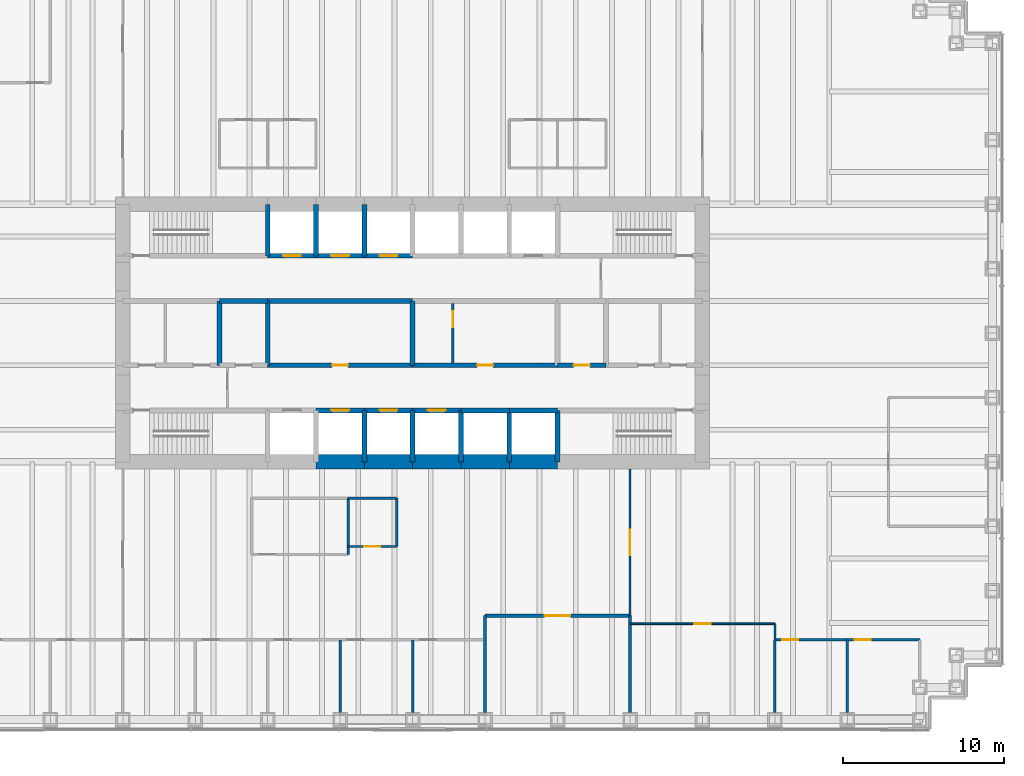
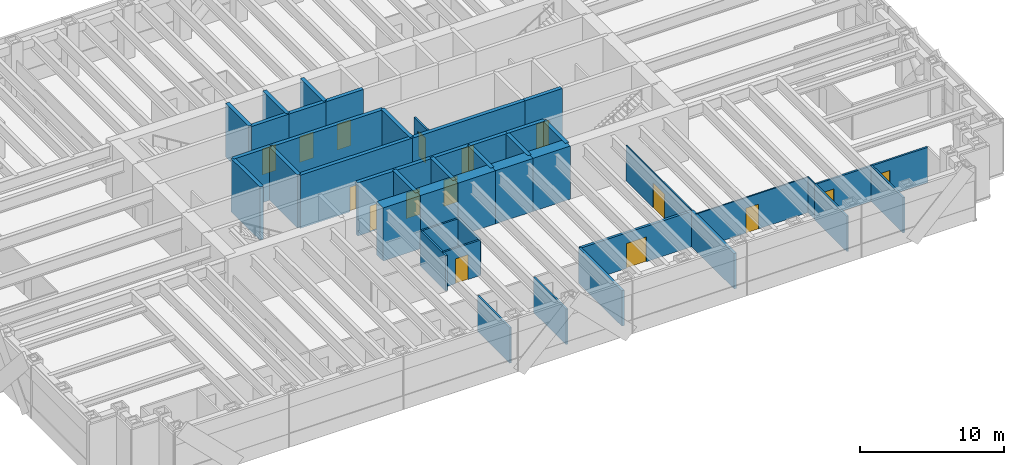
# One storey, part 10 of 13: 45 walls, 16 doors, 16 openings.
"""IFC4 building model written with IfcOpenShell, lengths in metres."""

from ifc_helpers import new_model, si_unit, direction, frame, frame_2d, origin, place, context, subcontext, project, spatial, rectangle, extrude, material, layer, layer_set, type_object, element, fill, save


model = new_model("IFC4")

# Units and contexts
model_context = context("Model", 3, precision=1e-05, world=origin(), true_north=direction((0.0, 1.0)))
body_context = subcontext(model_context, "Body", "Model", "MODEL_VIEW")
ifc_project = project(units=[si_unit("LENGTHUNIT", "METRE"), si_unit("AREAUNIT", "SQUARE_METRE"), si_unit("VOLUMEUNIT", "CUBIC_METRE"), si_unit("PLANEANGLEUNIT", "RADIAN"), si_unit("MASSUNIT", "GRAM", prefix="KILO")], contexts=[model_context])

# Site, building, storey
site_placement = place(None, origin())
site = spatial("IfcSite", under=ifc_project, at=site_placement, CompositionType="ELEMENT")
building_placement = place(site_placement, origin())
building = spatial("IfcBuilding", under=site, at=building_placement, Name="Rheinbord Bourse Tower", CompositionType="ELEMENT")
storey_placement = place(building_placement, frame((0.0, 0.0, 90.5)))
storey = spatial("IfcBuildingStorey", under=building, at=storey_placement, Name="L19", CompositionType="ELEMENT", Elevation=90.5)

# Wall, opening, door
ifc_material_1 = material(Name="Acoustic gypsum board partition", Category="gypsum board")
ifc_layer_1 = layer(ifc_material_1, 0.199951171875)
ifc_layer_set_1 = layer_set([ifc_layer_1], Name="ACOUSTIC PARTITION 200")
wall_type_1 = type_object("IfcWallType", Name="ACOUSTIC PARTITION 200", PredefinedType="PARTITIONING", material=ifc_layer_set_1)
wall_1_placement = place(storey_placement, frame((40.5, 6.449951171875, 0.0), z_axis=(0.0, 0.0, 1.0), x_axis=(1.0, 0.0, 0.0)))
wall_1 = element("IfcWall", 1, at=wall_1_placement, inside=storey, type_object=wall_type_1, Name="Partition L19-04", PredefinedType="PARTITIONING", context=body_context, shape_type="SweptSolid", body=[
    extrude(rectangle(XDim=9.0, YDim=0.199951171875, at=frame_2d((4.5, 0.0))), origin(), (0.0, 0.0, 1.0), 3.0),
])
opening_1_placement = place(wall_1_placement, frame((3.699951171875, 0.0, 0.0)))
opening_1 = element("IfcOpeningElement", 2, at=opening_1_placement, cuts=wall_1, Name="Opening 19D12", PredefinedType="OPENING", context=body_context, shape_type="SweptSolid", body=[
    extrude(rectangle(XDim=1.60009765625, YDim=2.10009765625, at=frame_2d((0.800048828125, 1.050048828125))), frame((0.0, 0.10986328125, 0.0), z_axis=(0.0, -1.0, 0.0), x_axis=(1.0, 0.0, 0.0)), (0.0, 0.0, 1.0), 0.219970703125),
])
ifc_material_2 = material(Name="Timber door", Category="wood")
door_type_1 = type_object("IfcDoorType", Name="DOUBLE ROOM DOOR 1600", OperationType="DOUBLE_DOOR_DOUBLE_SWING", PredefinedType="DOOR", material=ifc_material_2)
door_1_placement = place(opening_1_placement, origin())
door_1 = element("IfcDoor", 3, at=door_1_placement, inside=storey, type_object=door_type_1, Name="Broadcast studio door L19", OperationType="SINGLE_SWING_LEFT", OverallHeight=2.10009765625, OverallWidth=1.60009765625, PredefinedType="DOOR", context=body_context, shape_type="SweptSolid", body=[
    extrude(rectangle(XDim=1.60009765625, YDim=2.10009765625, at=frame_2d((0.800048828125, 1.050048828125))), frame((0.0, 0.02490234375, 0.0), z_axis=(0.0, -1.0, 0.0), x_axis=(1.0, 0.0, 0.0)), (0.0, 0.0, 1.0), 0.050048828125),
])
fill(opening_1, door_1)

# Walls
for number, where, z_axis, x_axis, name in (
    (4, (40.5, 0.449951171875, 0.0), (0.0, 0.0, 1.0), (0.0, 1.0, 0.0), "Partition L19-37"),
    (5, (49.5, 0.449951171875, 0.0), (0.0, 0.0, 1.0), (0.0, 1.0, 0.0), "Partition L19-41"),
):
    element("IfcWall", number, at=place(storey_placement, frame(where, z_axis=z_axis, x_axis=x_axis)), inside=storey, type_object=wall_type_1, Name=name, PredefinedType="PARTITIONING", context=body_context, shape_type="SweptSolid", body=[
        extrude(rectangle(XDim=6.0, YDim=0.199951171875, at=frame_2d((3.0, 0.0))), origin(), (0.0, 0.0, 1.0), 3.0),
    ])

# Wall, opening, door
ifc_material_3 = material(Name="Concrete C50/60", Category="concrete")
ifc_layer_2 = layer(ifc_material_3, 0.300048828125)
ifc_layer_set_2 = layer_set([ifc_layer_2], Name="CORE INNER WALL 300")
wall_type_2 = type_object("IfcWallType", Name="CORE INNER WALL 300", PredefinedType="SOLIDWALL", material=ifc_layer_set_2)
wall_2_placement = place(storey_placement, frame((30.0, 19.199951171875, 0.0), z_axis=(0.0, 0.0, 1.0), x_axis=(1.0, 0.0, 0.0)))
wall_2 = element("IfcWall", 6, at=wall_2_placement, inside=storey, type_object=wall_type_2, Name="Core wall A3 L19", PredefinedType="SOLIDWALL", context=body_context, shape_type="SweptSolid", body=[
    extrude(rectangle(XDim=3.0, YDim=0.300048828125, at=frame_2d((1.5, 0.0))), origin(), (0.0, 0.0, 1.0), 4.5),
])
opening_2_placement = place(wall_2_placement, frame((0.949951171875, 0.0, 0.0)))
opening_2 = element("IfcOpeningElement", 7, at=opening_2_placement, cuts=wall_2, Name="Opening PA1", PredefinedType="OPENING", context=body_context, shape_type="SweptSolid", body=[
    extrude(rectangle(XDim=1.10009765625, YDim=2.199951171875, at=frame_2d((0.550048828125, 1.10009765625))), frame((0.0, 0.159912109375, 0.0), z_axis=(0.0, -1.0, 0.0), x_axis=(1.0, 0.0, 0.0)), (0.0, 0.0, 1.0), 0.320068359375),
])
ifc_material_4 = material(Name="Steel landing door", Category="steel")
door_type_2 = type_object("IfcDoorType", Name="LIFT LANDING DOOR 1100", OperationType="DOUBLE_DOOR_SLIDING", PredefinedType="USERDEFINED", material=ifc_material_4)
door_2_placement = place(opening_2_placement, origin())
door_2 = element("IfcDoor", 8, at=door_2_placement, inside=storey, type_object=door_type_2, Name="Lift landing door PA1 L19", ObjectType="LIFT LANDING DOOR", OperationType="DOUBLE_DOOR_SLIDING", OverallHeight=2.199951171875, OverallWidth=1.10009765625, PredefinedType="USERDEFINED", context=body_context, shape_type="SweptSolid", body=[
    extrude(rectangle(XDim=1.10009765625, YDim=2.199951171875, at=frame_2d((0.550048828125, 1.10009765625))), frame((0.0, 0.02490234375, 0.0), z_axis=(0.0, -1.0, 0.0), x_axis=(1.0, 0.0, 0.0)), (0.0, 0.0, 1.0), 0.050048828125),
])
fill(opening_2, door_2)

wall_3_placement = place(storey_placement, frame((33.0, 19.199951171875, 0.0), z_axis=(0.0, 0.0, 1.0), x_axis=(1.0, 0.0, 0.0)))
wall_3 = element("IfcWall", 9, at=wall_3_placement, inside=storey, type_object=wall_type_2, Name="Core wall A4 L19", PredefinedType="SOLIDWALL", context=body_context, shape_type="SweptSolid", body=[
    extrude(rectangle(XDim=3.0, YDim=0.300048828125, at=frame_2d((1.5, 0.0))), origin(), (0.0, 0.0, 1.0), 4.5),
])
opening_3_placement = place(wall_3_placement, frame((0.949951171875, 0.0, 0.0)))
opening_3 = element("IfcOpeningElement", 10, at=opening_3_placement, cuts=wall_3, Name="Opening PA2", PredefinedType="OPENING", context=body_context, shape_type="SweptSolid", body=[
    extrude(rectangle(XDim=1.10009765625, YDim=2.199951171875, at=frame_2d((0.550048828125, 1.10009765625))), frame((0.0, 0.159912109375, 0.0), z_axis=(0.0, -1.0, 0.0), x_axis=(1.0, 0.0, 0.0)), (0.0, 0.0, 1.0), 0.320068359375),
])
door_3_placement = place(opening_3_placement, origin())
door_3 = element("IfcDoor", 11, at=door_3_placement, inside=storey, type_object=door_type_2, Name="Lift landing door PA2 L19", ObjectType="LIFT LANDING DOOR", OperationType="DOUBLE_DOOR_SLIDING", OverallHeight=2.199951171875, OverallWidth=1.10009765625, PredefinedType="USERDEFINED", context=body_context, shape_type="SweptSolid", body=[
    extrude(rectangle(XDim=1.10009765625, YDim=2.199951171875, at=frame_2d((0.550048828125, 1.10009765625))), frame((0.0, 0.02490234375, 0.0), z_axis=(0.0, -1.0, 0.0), x_axis=(1.0, 0.0, 0.0)), (0.0, 0.0, 1.0), 0.050048828125),
])
fill(opening_3, door_3)

wall_4_placement = place(storey_placement, frame((36.0, 19.199951171875, 0.0), z_axis=(0.0, 0.0, 1.0), x_axis=(1.0, 0.0, 0.0)))
wall_4 = element("IfcWall", 12, at=wall_4_placement, inside=storey, type_object=wall_type_2, Name="Core wall A5 L19", PredefinedType="SOLIDWALL", context=body_context, shape_type="SweptSolid", body=[
    extrude(rectangle(XDim=3.0, YDim=0.300048828125, at=frame_2d((1.5, 0.0))), origin(), (0.0, 0.0, 1.0), 4.5),
])
opening_4_placement = place(wall_4_placement, frame((0.949951171875, 0.0, 0.0)))
opening_4 = element("IfcOpeningElement", 13, at=opening_4_placement, cuts=wall_4, Name="Opening PA3", PredefinedType="OPENING", context=body_context, shape_type="SweptSolid", body=[
    extrude(rectangle(XDim=1.10009765625, YDim=2.199951171875, at=frame_2d((0.550048828125, 1.10009765625))), frame((0.0, 0.159912109375, 0.0), z_axis=(0.0, -1.0, 0.0), x_axis=(1.0, 0.0, 0.0)), (0.0, 0.0, 1.0), 0.320068359375),
])
door_4_placement = place(opening_4_placement, origin())
door_4 = element("IfcDoor", 14, at=door_4_placement, inside=storey, type_object=door_type_2, Name="Lift landing door PA3 L19", ObjectType="LIFT LANDING DOOR", OperationType="DOUBLE_DOOR_SLIDING", OverallHeight=2.199951171875, OverallWidth=1.10009765625, PredefinedType="USERDEFINED", context=body_context, shape_type="SweptSolid", body=[
    extrude(rectangle(XDim=1.10009765625, YDim=2.199951171875, at=frame_2d((0.550048828125, 1.10009765625))), frame((0.0, 0.02490234375, 0.0), z_axis=(0.0, -1.0, 0.0), x_axis=(1.0, 0.0, 0.0)), (0.0, 0.0, 1.0), 0.050048828125),
])
fill(opening_4, door_4)

# Walls
for number, where, z_axis, x_axis, name in (
    (15, (39.0, 19.199951171875, 0.0), (0.0, 0.0, 1.0), (1.0, 0.0, 0.0), "Core wall A6 L19"),
    (16, (42.0, 19.199951171875, 0.0), (0.0, 0.0, 1.0), (1.0, 0.0, 0.0), "Core wall A7 L19"),
):
    element("IfcWall", number, at=place(storey_placement, frame(where, z_axis=z_axis, x_axis=x_axis)), inside=storey, type_object=wall_type_2, Name=name, PredefinedType="SOLIDWALL", context=body_context, shape_type="SweptSolid", body=[
        extrude(rectangle(XDim=3.0, YDim=0.300048828125, at=frame_2d((1.5, 0.0))), origin(), (0.0, 0.0, 1.0), 4.5),
    ])

# Wall, opening, door
wall_5_placement = place(storey_placement, frame((27.0, 28.800048828125, 0.0), z_axis=(0.0, 0.0, 1.0), x_axis=(1.0, 0.0, 0.0)))
wall_5 = element("IfcWall", 17, at=wall_5_placement, inside=storey, type_object=wall_type_2, Name="Core wall B2 L19", PredefinedType="SOLIDWALL", context=body_context, shape_type="SweptSolid", body=[
    extrude(rectangle(XDim=3.0, YDim=0.300048828125, at=frame_2d((1.5, 0.0))), origin(), (0.0, 0.0, 1.0), 4.5),
])
opening_5_placement = place(wall_5_placement, frame((0.949951171875, 0.0, 0.0)))
opening_5 = element("IfcOpeningElement", 18, at=opening_5_placement, cuts=wall_5, Name="Opening GL1", PredefinedType="OPENING", context=body_context, shape_type="SweptSolid", body=[
    extrude(rectangle(XDim=1.10009765625, YDim=2.199951171875, at=frame_2d((0.550048828125, 1.10009765625))), frame((0.0, 0.159912109375, 0.0), z_axis=(0.0, -1.0, 0.0), x_axis=(1.0, 0.0, 0.0)), (0.0, 0.0, 1.0), 0.320068359375),
])
door_5_placement = place(opening_5_placement, origin())
door_5 = element("IfcDoor", 19, at=door_5_placement, inside=storey, type_object=door_type_2, Name="Lift landing door GL1 L19", ObjectType="LIFT LANDING DOOR", OperationType="DOUBLE_DOOR_SLIDING", OverallHeight=2.199951171875, OverallWidth=1.10009765625, PredefinedType="USERDEFINED", context=body_context, shape_type="SweptSolid", body=[
    extrude(rectangle(XDim=1.10009765625, YDim=2.199951171875, at=frame_2d((0.550048828125, 1.10009765625))), frame((0.0, 0.02490234375, 0.0), z_axis=(0.0, -1.0, 0.0), x_axis=(1.0, 0.0, 0.0)), (0.0, 0.0, 1.0), 0.050048828125),
])
fill(opening_5, door_5)

wall_6_placement = place(storey_placement, frame((30.0, 28.800048828125, 0.0), z_axis=(0.0, 0.0, 1.0), x_axis=(1.0, 0.0, 0.0)))
wall_6 = element("IfcWall", 20, at=wall_6_placement, inside=storey, type_object=wall_type_2, Name="Core wall B3 L19", PredefinedType="SOLIDWALL", context=body_context, shape_type="SweptSolid", body=[
    extrude(rectangle(XDim=3.0, YDim=0.300048828125, at=frame_2d((1.5, 0.0))), origin(), (0.0, 0.0, 1.0), 4.5),
])
opening_6_placement = place(wall_6_placement, frame((0.949951171875, 0.0, 0.0)))
opening_6 = element("IfcOpeningElement", 21, at=opening_6_placement, cuts=wall_6, Name="Opening PA4", PredefinedType="OPENING", context=body_context, shape_type="SweptSolid", body=[
    extrude(rectangle(XDim=1.10009765625, YDim=2.199951171875, at=frame_2d((0.550048828125, 1.10009765625))), frame((0.0, 0.159912109375, 0.0), z_axis=(0.0, -1.0, 0.0), x_axis=(1.0, 0.0, 0.0)), (0.0, 0.0, 1.0), 0.320068359375),
])
door_6_placement = place(opening_6_placement, origin())
door_6 = element("IfcDoor", 22, at=door_6_placement, inside=storey, type_object=door_type_2, Name="Lift landing door PA4 L19", ObjectType="LIFT LANDING DOOR", OperationType="DOUBLE_DOOR_SLIDING", OverallHeight=2.199951171875, OverallWidth=1.10009765625, PredefinedType="USERDEFINED", context=body_context, shape_type="SweptSolid", body=[
    extrude(rectangle(XDim=1.10009765625, YDim=2.199951171875, at=frame_2d((0.550048828125, 1.10009765625))), frame((0.0, 0.02490234375, 0.0), z_axis=(0.0, -1.0, 0.0), x_axis=(1.0, 0.0, 0.0)), (0.0, 0.0, 1.0), 0.050048828125),
])
fill(opening_6, door_6)

wall_7_placement = place(storey_placement, frame((33.0, 28.800048828125, 0.0), z_axis=(0.0, 0.0, 1.0), x_axis=(1.0, 0.0, 0.0)))
wall_7 = element("IfcWall", 23, at=wall_7_placement, inside=storey, type_object=wall_type_2, Name="Core wall B4 L19", PredefinedType="SOLIDWALL", context=body_context, shape_type="SweptSolid", body=[
    extrude(rectangle(XDim=3.0, YDim=0.300048828125, at=frame_2d((1.5, 0.0))), origin(), (0.0, 0.0, 1.0), 4.5),
])
opening_7_placement = place(wall_7_placement, frame((0.949951171875, 0.0, 0.0)))
opening_7 = element("IfcOpeningElement", 24, at=opening_7_placement, cuts=wall_7, Name="Opening PA5", PredefinedType="OPENING", context=body_context, shape_type="SweptSolid", body=[
    extrude(rectangle(XDim=1.10009765625, YDim=2.199951171875, at=frame_2d((0.550048828125, 1.10009765625))), frame((0.0, 0.159912109375, 0.0), z_axis=(0.0, -1.0, 0.0), x_axis=(1.0, 0.0, 0.0)), (0.0, 0.0, 1.0), 0.320068359375),
])
door_7_placement = place(opening_7_placement, origin())
door_7 = element("IfcDoor", 25, at=door_7_placement, inside=storey, type_object=door_type_2, Name="Lift landing door PA5 L19", ObjectType="LIFT LANDING DOOR", OperationType="DOUBLE_DOOR_SLIDING", OverallHeight=2.199951171875, OverallWidth=1.10009765625, PredefinedType="USERDEFINED", context=body_context, shape_type="SweptSolid", body=[
    extrude(rectangle(XDim=1.10009765625, YDim=2.199951171875, at=frame_2d((0.550048828125, 1.10009765625))), frame((0.0, 0.02490234375, 0.0), z_axis=(0.0, -1.0, 0.0), x_axis=(1.0, 0.0, 0.0)), (0.0, 0.0, 1.0), 0.050048828125),
])
fill(opening_7, door_7)

wall_8_placement = place(storey_placement, frame((27.0, 22.0, 0.0), z_axis=(0.0, 0.0, 1.0), x_axis=(1.0, 0.0, 0.0)))
wall_8 = element("IfcWall", 26, at=wall_8_placement, inside=storey, type_object=wall_type_2, Name="Core wall C3 L19", PredefinedType="SOLIDWALL", context=body_context, shape_type="SweptSolid", body=[
    extrude(rectangle(XDim=9.0, YDim=0.300048828125, at=frame_2d((4.5, 0.0))), origin(), (0.0, 0.0, 1.0), 4.5),
])
opening_8_placement = place(wall_8_placement, frame((4.0, 0.0, 0.0)))
opening_8 = element("IfcOpeningElement", 27, at=opening_8_placement, cuts=wall_8, Name="Opening 19R3", PredefinedType="OPENING", context=body_context, shape_type="SweptSolid", body=[
    extrude(rectangle(XDim=1.0, YDim=2.10009765625, at=frame_2d((0.5, 1.050048828125))), frame((0.0, 0.159912109375, 0.0), z_axis=(0.0, -1.0, 0.0), x_axis=(1.0, 0.0, 0.0)), (0.0, 0.0, 1.0), 0.320068359375),
])
ifc_material_5 = material(Name="Steel door", Category="steel")
door_type_3 = type_object("IfcDoorType", Name="DOOR 1000 EI30", OperationType="SINGLE_SWING_LEFT", PredefinedType="DOOR", material=ifc_material_5)
door_8_placement = place(opening_8_placement, origin())
door_8 = element("IfcDoor", 28, at=door_8_placement, inside=storey, type_object=door_type_3, Name="Riser door L19", OperationType="SINGLE_SWING_LEFT", OverallHeight=2.10009765625, OverallWidth=1.0, PredefinedType="DOOR", context=body_context, shape_type="SweptSolid", body=[
    extrude(rectangle(XDim=1.0, YDim=2.10009765625, at=frame_2d((0.5, 1.050048828125))), frame((0.0, 0.02490234375, 0.0), z_axis=(0.0, -1.0, 0.0), x_axis=(1.0, 0.0, 0.0)), (0.0, 0.0, 1.0), 0.050048828125),
])
fill(opening_8, door_8)

wall_9_placement = place(storey_placement, frame((36.0, 22.0, 0.0), z_axis=(0.0, 0.0, 1.0), x_axis=(1.0, 0.0, 0.0)))
wall_9 = element("IfcWall", 29, at=wall_9_placement, inside=storey, type_object=wall_type_2, Name="Core wall C4 L19", PredefinedType="SOLIDWALL", context=body_context, shape_type="SweptSolid", body=[
    extrude(rectangle(XDim=9.0, YDim=0.300048828125, at=frame_2d((4.5, 0.0))), origin(), (0.0, 0.0, 1.0), 4.5),
])
opening_9_placement = place(wall_9_placement, frame((4.0, 0.0, 0.0)))
opening_9 = element("IfcOpeningElement", 30, at=opening_9_placement, cuts=wall_9, Name="Opening 19R4", PredefinedType="OPENING", context=body_context, shape_type="SweptSolid", body=[
    extrude(rectangle(XDim=1.0, YDim=2.10009765625, at=frame_2d((0.5, 1.050048828125))), frame((0.0, 0.159912109375, 0.0), z_axis=(0.0, -1.0, 0.0), x_axis=(1.0, 0.0, 0.0)), (0.0, 0.0, 1.0), 0.320068359375),
])
door_9_placement = place(opening_9_placement, origin())
door_9 = element("IfcDoor", 31, at=door_9_placement, inside=storey, type_object=door_type_3, Name="Store door L19", OperationType="SINGLE_SWING_LEFT", OverallHeight=2.10009765625, OverallWidth=1.0, PredefinedType="DOOR", context=body_context, shape_type="SweptSolid", body=[
    extrude(rectangle(XDim=1.0, YDim=2.10009765625, at=frame_2d((0.5, 1.050048828125))), frame((0.0, 0.02490234375, 0.0), z_axis=(0.0, -1.0, 0.0), x_axis=(1.0, 0.0, 0.0)), (0.0, 0.0, 1.0), 0.050048828125),
])
fill(opening_9, door_9)

wall_10_placement = place(storey_placement, frame((45.0, 22.0, 0.0), z_axis=(0.0, 0.0, 1.0), x_axis=(1.0, 0.0, 0.0)))
wall_10 = element("IfcWall", 32, at=wall_10_placement, inside=storey, type_object=wall_type_2, Name="Core wall C5 L19", PredefinedType="SOLIDWALL", context=body_context, shape_type="SweptSolid", body=[
    extrude(rectangle(XDim=3.0, YDim=0.300048828125, at=frame_2d((1.5, 0.0))), origin(), (0.0, 0.0, 1.0), 4.5),
])
opening_10_placement = place(wall_10_placement, frame((1.0, 0.0, 0.0)))
opening_10 = element("IfcOpeningElement", 33, at=opening_10_placement, cuts=wall_10, Name="Opening 19R5", PredefinedType="OPENING", context=body_context, shape_type="SweptSolid", body=[
    extrude(rectangle(XDim=1.0, YDim=2.10009765625, at=frame_2d((0.5, 1.050048828125))), frame((0.0, 0.159912109375, 0.0), z_axis=(0.0, -1.0, 0.0), x_axis=(1.0, 0.0, 0.0)), (0.0, 0.0, 1.0), 0.320068359375),
])
ifc_material_6 = material(Name="Timber door", Category="wood")
door_type_4 = type_object("IfcDoorType", Name="DOOR 1000 WC", OperationType="SINGLE_SWING_LEFT", PredefinedType="DOOR", material=ifc_material_6)
door_10_placement = place(opening_10_placement, origin())
door_10 = element("IfcDoor", 34, at=door_10_placement, inside=storey, type_object=door_type_4, Name="Accessible WC door L19", OperationType="SINGLE_SWING_LEFT", OverallHeight=2.10009765625, OverallWidth=1.0, PredefinedType="DOOR", context=body_context, shape_type="SweptSolid", body=[
    extrude(rectangle(XDim=1.0, YDim=2.10009765625, at=frame_2d((0.5, 1.050048828125))), frame((0.0, 0.02490234375, 0.0), z_axis=(0.0, -1.0, 0.0), x_axis=(1.0, 0.0, 0.0)), (0.0, 0.0, 1.0), 0.050048828125),
])
fill(opening_10, door_10)

# Walls
wall_11_placement = place(storey_placement, frame((24.0, 26.0, 0.0), z_axis=(0.0, 0.0, 1.0), x_axis=(1.0, 0.0, 0.0)))
element("IfcWall", 35, at=wall_11_placement, inside=storey, type_object=wall_type_2, Name="Core wall D2 L19", PredefinedType="SOLIDWALL", context=body_context, shape_type="SweptSolid", body=[
    extrude(rectangle(XDim=3.0, YDim=0.300048828125, at=frame_2d((1.5, 0.0))), origin(), (0.0, 0.0, 1.0), 4.5),
])
wall_12_placement = place(storey_placement, frame((27.0, 26.0, 0.0), z_axis=(0.0, 0.0, 1.0), x_axis=(1.0, 0.0, 0.0)))
element("IfcWall", 36, at=wall_12_placement, inside=storey, type_object=wall_type_2, Name="Core wall D3 L19", PredefinedType="SOLIDWALL", context=body_context, shape_type="SweptSolid", body=[
    extrude(rectangle(XDim=9.0, YDim=0.300048828125, at=frame_2d((4.5, 0.0))), origin(), (0.0, 0.0, 1.0), 4.5),
])
for number, where, z_axis, x_axis, name in (
    (37, (27.0, 28.800048828125, 0.0), (0.0, 0.0, 1.0), (0.0, 1.0, 0.0), "Core wall NX27 L19"),
    (38, (30.0, 28.800048828125, 0.0), (0.0, 0.0, 1.0), (0.0, 1.0, 0.0), "Core wall NX30 L19"),
    (39, (33.0, 16.0, 0.0), (0.0, 0.0, 1.0), (0.0, 1.0, 0.0), "Core wall SX33 L19"),
    (40, (33.0, 28.800048828125, 0.0), (0.0, 0.0, 1.0), (0.0, 1.0, 0.0), "Core wall NX33 L19"),
    (41, (36.0, 16.0, 0.0), (0.0, 0.0, 1.0), (0.0, 1.0, 0.0), "Core wall SX36 L19"),
    (42, (39.0, 16.0, 0.0), (0.0, 0.0, 1.0), (0.0, 1.0, 0.0), "Core wall SX39 L19"),
    (43, (42.0, 16.0, 0.0), (0.0, 0.0, 1.0), (0.0, 1.0, 0.0), "Core wall SX42 L19"),
    (44, (45.0, 16.0, 0.0), (0.0, 0.0, 1.0), (0.0, 1.0, 0.0), "Core wall SX45 L19"),
):
    element("IfcWall", number, at=place(storey_placement, frame(where, z_axis=z_axis, x_axis=x_axis)), inside=storey, type_object=wall_type_2, Name=name, PredefinedType="SOLIDWALL", context=body_context, shape_type="SweptSolid", body=[
        extrude(rectangle(XDim=3.199951171875, YDim=0.300048828125, at=frame_2d((1.60009765625, 0.0))), origin(), (0.0, 0.0, 1.0), 4.5),
    ])
for number, where, z_axis, x_axis, name in (
    (45, (24.0, 22.0, 0.0), (0.0, 0.0, 1.0), (0.0, 1.0, 0.0), "Core wall MX24 L19"),
    (46, (27.0, 22.0, 0.0), (0.0, 0.0, 1.0), (0.0, 1.0, 0.0), "Core wall MX27 L19"),
    (47, (36.0, 22.0, 0.0), (0.0, 0.0, 1.0), (0.0, 1.0, 0.0), "Core wall MX36 L19"),
):
    element("IfcWall", number, at=place(storey_placement, frame(where, z_axis=z_axis, x_axis=x_axis)), inside=storey, type_object=wall_type_2, Name=name, PredefinedType="SOLIDWALL", context=body_context, shape_type="SweptSolid", body=[
        extrude(rectangle(XDim=4.0, YDim=0.300048828125, at=frame_2d((2.0, 0.0))), origin(), (0.0, 0.0, 1.0), 4.5),
    ])

# Wall, opening, door
ifc_material_7 = material(Name="Gypsum board fire partition", Category="gypsum board")
ifc_layer_3 = layer(ifc_material_7, 0.14990234375)
ifc_layer_set_3 = layer_set([ifc_layer_3], Name="CORE PARTITION 150 EI30")
wall_type_3 = type_object("IfcWallType", Name="CORE PARTITION 150 EI30", PredefinedType="PARTITIONING", material=ifc_layer_set_3)
wall_13_placement = place(storey_placement, frame((38.5, 22.14990234375, 0.0), z_axis=(0.0, 0.0, 1.0), x_axis=(0.0, 1.0, 0.0)))
wall_13 = element("IfcWall", 48, at=wall_13_placement, inside=storey, type_object=wall_type_3, Name="Core partition L19-1", PredefinedType="PARTITIONING", context=body_context, shape_type="SweptSolid", body=[
    extrude(rectangle(XDim=3.7001953125, YDim=0.14990234375, at=frame_2d((1.85009765625, 0.0))), origin(), (0.0, 0.0, 1.0), 3.0),
])
opening_11_placement = place(wall_13_placement, frame((2.199951171875, 0.0, 0.0)))
opening_11 = element("IfcOpeningElement", 49, at=opening_11_placement, cuts=wall_13, Name="Opening 19R7", PredefinedType="OPENING", context=body_context, shape_type="SweptSolid", body=[
    extrude(rectangle(XDim=1.0, YDim=2.10009765625, at=frame_2d((0.5, 1.050048828125))), frame((0.0, 0.0849609375, 0.0), z_axis=(0.0, -1.0, 0.0), x_axis=(1.0, 0.0, 0.0)), (0.0, 0.0, 1.0), 0.169921875),
])
door_11_placement = place(opening_11_placement, origin())
door_11 = element("IfcDoor", 50, at=door_11_placement, inside=storey, type_object=door_type_3, Name="Furniture store door L19", OperationType="SINGLE_SWING_RIGHT", OverallHeight=2.10009765625, OverallWidth=1.0, PredefinedType="DOOR", context=body_context, shape_type="SweptSolid", body=[
    extrude(rectangle(XDim=1.0, YDim=2.10009765625, at=frame_2d((0.5, 1.050048828125))), frame((0.0, 0.02490234375, 0.0), z_axis=(0.0, -1.0, 0.0), x_axis=(1.0, 0.0, 0.0)), (0.0, 0.0, 1.0), 0.050048828125),
])
fill(opening_11, door_11)

# Walls
ifc_material_8 = material(Name="Concrete C50/60", Category="concrete")
ifc_layer_4 = layer(ifc_material_8, 0.89990234375)
ifc_layer_set_4 = layer_set([ifc_layer_4], Name="CORE WALL 900")
wall_type_4 = type_object("IfcWallType", Name="CORE WALL 900", PredefinedType="SHEAR", material=ifc_layer_set_4)
for number, where, z_axis, x_axis, name in (
    (51, (30.0, 16.0, 0.0), (0.0, 0.0, 1.0), (1.0, 0.0, 0.0), "Core wall S3 L19"),
    (52, (33.0, 16.0, 0.0), (0.0, 0.0, 1.0), (1.0, 0.0, 0.0), "Core wall S4 L19"),
    (53, (36.0, 16.0, 0.0), (0.0, 0.0, 1.0), (1.0, 0.0, 0.0), "Core wall S5 L19"),
    (54, (39.0, 16.0, 0.0), (0.0, 0.0, 1.0), (1.0, 0.0, 0.0), "Core wall S6 L19"),
    (55, (42.0, 16.0, 0.0), (0.0, 0.0, 1.0), (1.0, 0.0, 0.0), "Core wall S7 L19"),
):
    element("IfcWall", number, at=place(storey_placement, frame(where, z_axis=z_axis, x_axis=x_axis)), inside=storey, type_object=wall_type_4, Name=name, PredefinedType="SHEAR", context=body_context, shape_type="SweptSolid", body=[
        extrude(rectangle(XDim=3.0, YDim=0.89990234375, at=frame_2d((1.5, 0.0))), origin(), (0.0, 0.0, 1.0), 4.5),
    ])
ifc_material_9 = material(Name="Gypsum board fire partition", Category="gypsum board")
ifc_layer_5 = layer(ifc_material_9, 0.14990234375)
ifc_layer_set_5 = layer_set([ifc_layer_5], Name="FIRE PARTITION 150 EI60")
wall_type_5 = type_object("IfcWallType", Name="FIRE PARTITION 150 EI60", PredefinedType="PARTITIONING", material=ifc_layer_set_5)
wall_14_placement = place(storey_placement, frame((32.0, 10.25, 0.0), z_axis=(0.0, 0.0, 1.0), x_axis=(0.0, 1.0, 0.0)))
element("IfcWall", 56, at=wall_14_placement, inside=storey, type_object=wall_type_5, Name="Partition L19-34", PredefinedType="PARTITIONING", context=body_context, shape_type="SweptSolid", body=[
    extrude(rectangle(XDim=3.5, YDim=0.14990234375, at=frame_2d((1.75, 0.0))), origin(), (0.0, 0.0, 1.0), 3.0),
])

# Wall, opening, door
ifc_material_10 = material(Name="Toughened laminated glass partition", Category="glass")
ifc_layer_6 = layer(ifc_material_10, 0.10009765625)
ifc_layer_set_6 = layer_set([ifc_layer_6], Name="GLAZED PARTITION 100")
wall_type_6 = type_object("IfcWallType", Name="GLAZED PARTITION 100", PredefinedType="PARTITIONING", material=ifc_layer_set_6)
wall_15_placement = place(storey_placement, frame((49.5, 5.949951171875, 0.0), z_axis=(0.0, 0.0, 1.0), x_axis=(1.0, 0.0, 0.0)))
wall_15 = element("IfcWall", 57, at=wall_15_placement, inside=storey, type_object=wall_type_6, Name="Partition L19-03", PredefinedType="PARTITIONING", context=body_context, shape_type="SweptSolid", body=[
    extrude(rectangle(XDim=9.0, YDim=0.10009765625, at=frame_2d((4.5, 0.0))), origin(), (0.0, 0.0, 1.0), 3.0),
])
opening_12_placement = place(wall_15_placement, frame((4.0, 0.0, 0.0)))
opening_12 = element("IfcOpeningElement", 58, at=opening_12_placement, cuts=wall_15, Name="Opening 19D11", PredefinedType="OPENING", context=body_context, shape_type="SweptSolid", body=[
    extrude(rectangle(XDim=1.0, YDim=2.10009765625, at=frame_2d((0.5, 1.050048828125))), frame((0.0, 0.06005859375, 0.0), z_axis=(0.0, -1.0, 0.0), x_axis=(1.0, 0.0, 0.0)), (0.0, 0.0, 1.0), 0.1201171875),
])
ifc_material_11 = material(Name="Timber door", Category="wood")
door_type_5 = type_object("IfcDoorType", Name="ROOM DOOR 1000", OperationType="SINGLE_SWING_LEFT", PredefinedType="DOOR", material=ifc_material_11)
door_12_placement = place(opening_12_placement, origin())
door_12 = element("IfcDoor", 59, at=door_12_placement, inside=storey, type_object=door_type_5, Name="Meeting room door L19", OperationType="SINGLE_SWING_LEFT", OverallHeight=2.10009765625, OverallWidth=1.0, PredefinedType="DOOR", context=body_context, shape_type="SweptSolid", body=[
    extrude(rectangle(XDim=1.0, YDim=2.10009765625, at=frame_2d((0.5, 1.050048828125))), frame((0.0, 0.02490234375, 0.0), z_axis=(0.0, -1.0, 0.0), x_axis=(1.0, 0.0, 0.0)), (0.0, 0.0, 1.0), 0.050048828125),
])
fill(opening_12, door_12)

wall_16_placement = place(storey_placement, frame((49.5, 6.449951171875, 0.0), z_axis=(0.0, 0.0, 1.0), x_axis=(0.0, 1.0, 0.0)))
wall_16 = element("IfcWall", 60, at=wall_16_placement, inside=storey, type_object=wall_type_6, Name="Partition L19-42", PredefinedType="PARTITIONING", context=body_context, shape_type="SweptSolid", body=[
    extrude(rectangle(XDim=9.10009765625, YDim=0.10009765625, at=frame_2d((4.550048828125, 0.0))), origin(), (0.0, 0.0, 1.0), 3.0),
])
opening_13_placement = place(wall_16_placement, frame((3.75, 0.0, 0.0)))
opening_13 = element("IfcOpeningElement", 61, at=opening_13_placement, cuts=wall_16, Name="Opening 19D25", PredefinedType="OPENING", context=body_context, shape_type="SweptSolid", body=[
    extrude(rectangle(XDim=1.60009765625, YDim=2.10009765625, at=frame_2d((0.800048828125, 1.050048828125))), frame((0.0, 0.06005859375, 0.0), z_axis=(0.0, -1.0, 0.0), x_axis=(1.0, 0.0, 0.0)), (0.0, 0.0, 1.0), 0.1201171875),
])
door_13_placement = place(opening_13_placement, origin())
door_13 = element("IfcDoor", 62, at=door_13_placement, inside=storey, type_object=door_type_1, Name="Open area door L19", OperationType="SINGLE_SWING_LEFT", OverallHeight=2.10009765625, OverallWidth=1.60009765625, PredefinedType="DOOR", context=body_context, shape_type="SweptSolid", body=[
    extrude(rectangle(XDim=1.60009765625, YDim=2.10009765625, at=frame_2d((0.800048828125, 1.050048828125))), frame((0.0, 0.02490234375, 0.0), z_axis=(0.0, -1.0, 0.0), x_axis=(1.0, 0.0, 0.0)), (0.0, 0.0, 1.0), 0.050048828125),
])
fill(opening_13, door_13)

# Wall
wall_17_placement = place(storey_placement, frame((58.5, 4.949951171875, 0.0), z_axis=(0.0, 0.0, 1.0), x_axis=(0.0, 1.0, 0.0)))
element("IfcWall", 63, at=wall_17_placement, inside=storey, type_object=wall_type_6, Name="Partition L19-45", PredefinedType="PARTITIONING", context=body_context, shape_type="SweptSolid", body=[
    extrude(rectangle(XDim=1.0, YDim=0.10009765625, at=frame_2d((0.5, 0.0))), origin(), (0.0, 0.0, 1.0), 3.0),
])

# Wall, openings, doors
ifc_material_12 = material(Name="Gypsum board partition", Category="gypsum board")
ifc_layer_7 = layer(ifc_material_12, 0.14990234375)
ifc_layer_set_7 = layer_set([ifc_layer_7], Name="PARTITION 150")
wall_type_7 = type_object("IfcWallType", Name="PARTITION 150", PredefinedType="PARTITIONING", material=ifc_layer_set_7)
wall_18_placement = place(storey_placement, frame((58.5, 4.949951171875, 0.0), z_axis=(0.0, 0.0, 1.0), x_axis=(1.0, 0.0, 0.0)))
wall_18 = element("IfcWall", 64, at=wall_18_placement, inside=storey, type_object=wall_type_7, Name="Partition L19-02", PredefinedType="PARTITIONING", context=body_context, shape_type="SweptSolid", body=[
    extrude(rectangle(XDim=9.0, YDim=0.14990234375, at=frame_2d((4.5, 0.0))), origin(), (0.0, 0.0, 1.0), 3.0),
])
opening_14_placement = place(wall_18_placement, frame((0.449951171875, 0.0, 0.0)))
opening_14 = element("IfcOpeningElement", 65, at=opening_14_placement, cuts=wall_18, Name="Opening 19D09", PredefinedType="OPENING", context=body_context, shape_type="SweptSolid", body=[
    extrude(rectangle(XDim=1.0, YDim=2.10009765625, at=frame_2d((0.5, 1.050048828125))), frame((0.0, 0.0849609375, 0.0), z_axis=(0.0, -1.0, 0.0), x_axis=(1.0, 0.0, 0.0)), (0.0, 0.0, 1.0), 0.169921875),
])
opening_15_placement = place(wall_18_placement, frame((4.949951171875, 0.0, 0.0)))
opening_15 = element("IfcOpeningElement", 66, at=opening_15_placement, cuts=wall_18, Name="Opening 19D10", PredefinedType="OPENING", context=body_context, shape_type="SweptSolid", body=[
    extrude(rectangle(XDim=1.0, YDim=2.10009765625, at=frame_2d((0.5, 1.050048828125))), frame((0.0, 0.0849609375, 0.0), z_axis=(0.0, -1.0, 0.0), x_axis=(1.0, 0.0, 0.0)), (0.0, 0.0, 1.0), 0.169921875),
])
door_14_placement = place(opening_14_placement, origin())
door_14 = element("IfcDoor", 67, at=door_14_placement, inside=storey, type_object=door_type_5, Name="Office door L19", OperationType="SINGLE_SWING_LEFT", OverallHeight=2.10009765625, OverallWidth=1.0, PredefinedType="DOOR", context=body_context, shape_type="SweptSolid", body=[
    extrude(rectangle(XDim=1.0, YDim=2.10009765625, at=frame_2d((0.5, 1.050048828125))), frame((0.0, 0.02490234375, 0.0), z_axis=(0.0, -1.0, 0.0), x_axis=(1.0, 0.0, 0.0)), (0.0, 0.0, 1.0), 0.050048828125),
])
fill(opening_14, door_14)
door_15_placement = place(opening_15_placement, origin())
door_15 = element("IfcDoor", 68, at=door_15_placement, inside=storey, type_object=door_type_5, Name="Office door L19", OperationType="SINGLE_SWING_RIGHT", OverallHeight=2.10009765625, OverallWidth=1.0, PredefinedType="DOOR", context=body_context, shape_type="SweptSolid", body=[
    extrude(rectangle(XDim=1.0, YDim=2.10009765625, at=frame_2d((0.5, 1.050048828125))), frame((0.0, 0.02490234375, 0.0), z_axis=(0.0, -1.0, 0.0), x_axis=(1.0, 0.0, 0.0)), (0.0, 0.0, 1.0), 0.050048828125),
])
fill(opening_15, door_15)

# Wall, opening, door
wall_19_placement = place(storey_placement, frame((32.0, 10.75, 0.0), z_axis=(0.0, 0.0, 1.0), x_axis=(1.0, 0.0, 0.0)))
wall_19 = element("IfcWall", 69, at=wall_19_placement, inside=storey, type_object=wall_type_7, Name="Partition L19-06", PredefinedType="PARTITIONING", context=body_context, shape_type="SweptSolid", body=[
    extrude(rectangle(XDim=3.0, YDim=0.14990234375, at=frame_2d((1.5, 0.0))), origin(), (0.0, 0.0, 1.0), 3.0),
])
opening_16_placement = place(wall_19_placement, frame((1.0, 0.0, 0.0)))
opening_16 = element("IfcOpeningElement", 70, at=opening_16_placement, cuts=wall_19, Name="Opening 19D14", PredefinedType="OPENING", context=body_context, shape_type="SweptSolid", body=[
    extrude(rectangle(XDim=1.0, YDim=2.10009765625, at=frame_2d((0.5, 1.050048828125))), frame((0.0, 0.0849609375, 0.0), z_axis=(0.0, -1.0, 0.0), x_axis=(1.0, 0.0, 0.0)), (0.0, 0.0, 1.0), 0.169921875),
])
door_16_placement = place(opening_16_placement, origin())
door_16 = element("IfcDoor", 71, at=door_16_placement, inside=storey, type_object=door_type_5, Name="Print room door L19", OperationType="SINGLE_SWING_LEFT", OverallHeight=2.10009765625, OverallWidth=1.0, PredefinedType="DOOR", context=body_context, shape_type="SweptSolid", body=[
    extrude(rectangle(XDim=1.0, YDim=2.10009765625, at=frame_2d((0.5, 1.050048828125))), frame((0.0, 0.02490234375, 0.0), z_axis=(0.0, -1.0, 0.0), x_axis=(1.0, 0.0, 0.0)), (0.0, 0.0, 1.0), 0.050048828125),
])
fill(opening_16, door_16)

# Walls
wall_20_placement = place(storey_placement, frame((32.0, 13.75, 0.0), z_axis=(0.0, 0.0, 1.0), x_axis=(1.0, 0.0, 0.0)))
element("IfcWall", 72, at=wall_20_placement, inside=storey, type_object=wall_type_7, Name="Partition L19-09", PredefinedType="PARTITIONING", context=body_context, shape_type="SweptSolid", body=[
    extrude(rectangle(XDim=3.0, YDim=0.14990234375, at=frame_2d((1.5, 0.0))), origin(), (0.0, 0.0, 1.0), 3.0),
])
wall_21_placement = place(storey_placement, frame((31.5, 0.449951171875, 0.0), z_axis=(0.0, 0.0, 1.0), x_axis=(0.0, 1.0, 0.0)))
element("IfcWall", 73, at=wall_21_placement, inside=storey, type_object=wall_type_7, Name="Partition L19-33", PredefinedType="PARTITIONING", context=body_context, shape_type="SweptSolid", body=[
    extrude(rectangle(XDim=4.5, YDim=0.14990234375, at=frame_2d((2.25, 0.0))), origin(), (0.0, 0.0, 1.0), 3.0),
])
wall_22_placement = place(storey_placement, frame((35.0, 10.75, 0.0), z_axis=(0.0, 0.0, 1.0), x_axis=(0.0, 1.0, 0.0)))
element("IfcWall", 74, at=wall_22_placement, inside=storey, type_object=wall_type_7, Name="Partition L19-35", PredefinedType="PARTITIONING", context=body_context, shape_type="SweptSolid", body=[
    extrude(rectangle(XDim=3.0, YDim=0.14990234375, at=frame_2d((1.5, 0.0))), origin(), (0.0, 0.0, 1.0), 3.0),
])
for number, where, z_axis, x_axis, name in (
    (75, (36.0, 0.449951171875, 0.0), (0.0, 0.0, 1.0), (0.0, 1.0, 0.0), "Partition L19-36"),
    (76, (58.5, 0.449951171875, 0.0), (0.0, 0.0, 1.0), (0.0, 1.0, 0.0), "Partition L19-44"),
    (77, (63.0, 0.449951171875, 0.0), (0.0, 0.0, 1.0), (0.0, 1.0, 0.0), "Partition L19-46"),
):
    element("IfcWall", number, at=place(storey_placement, frame(where, z_axis=z_axis, x_axis=x_axis)), inside=storey, type_object=wall_type_7, Name=name, PredefinedType="PARTITIONING", context=body_context, shape_type="SweptSolid", body=[
        extrude(rectangle(XDim=4.5, YDim=0.14990234375, at=frame_2d((2.25, 0.0))), origin(), (0.0, 0.0, 1.0), 3.0),
    ])

save(model, "model.ifc")
